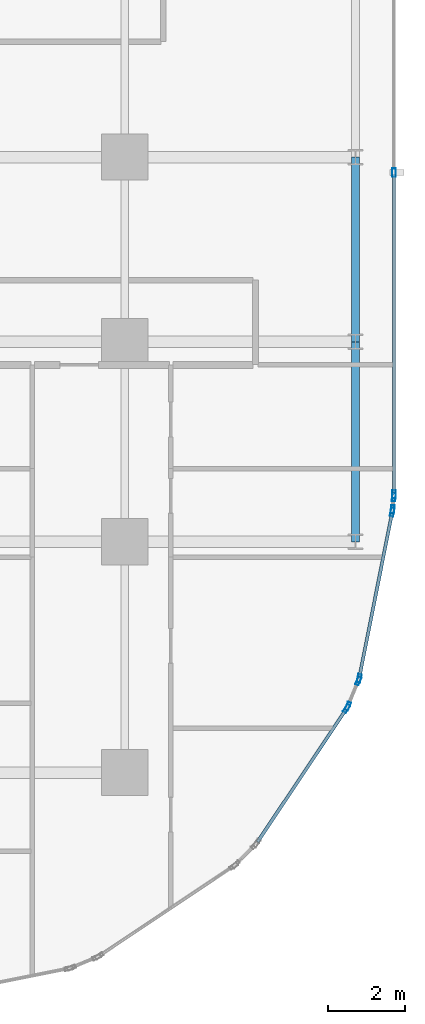
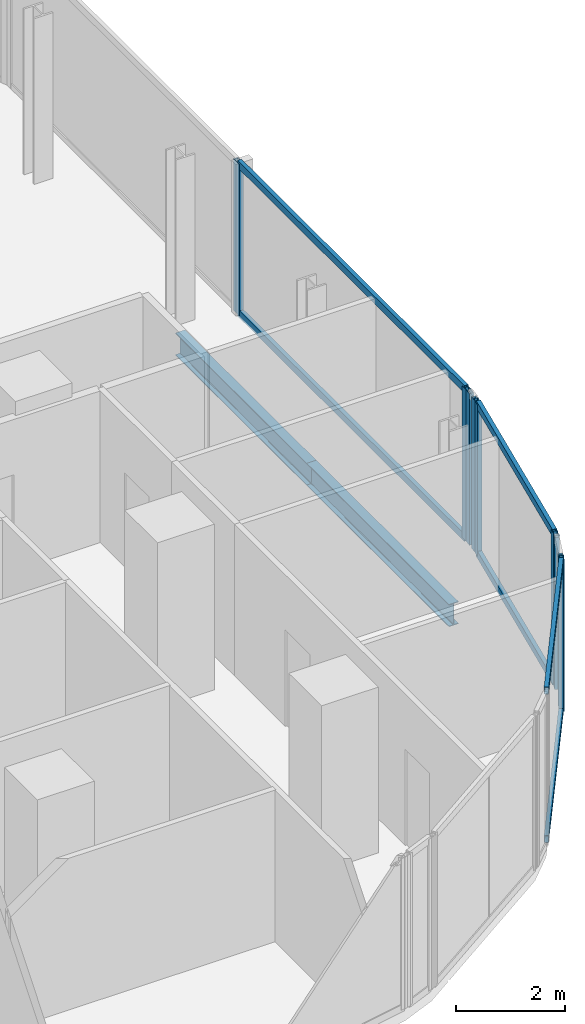
# One storey, part 18 of 34: 15 members, 2 beams, 5 elements without a shape of their own.
"""IFC4 building model written with IfcOpenShell, lengths in metres."""

from ifc_helpers import new_model, si_unit, direction, frame, origin, origin_2d, place, context, subcontext, project, spatial, hollow_rectangle, i_section, extrude, material, layer, layer_set, material_profile, profile_set, type_object, element, aggregate, save


model = new_model("IFC4")

# Units and contexts
model_context = context("Model", 3, precision=1e-05, world=origin(), true_north=direction((0.0, 1.0)))
body_context = subcontext(model_context, "Body", "Model", "MODEL_VIEW")
ifc_project = project(units=[si_unit("LENGTHUNIT", "METRE"), si_unit("AREAUNIT", "SQUARE_METRE"), si_unit("VOLUMEUNIT", "CUBIC_METRE"), si_unit("PLANEANGLEUNIT", "RADIAN"), si_unit("MASSUNIT", "GRAM", prefix="KILO")], contexts=[model_context])

# Site, building, storey
site_placement = place(None, origin())
site = spatial("IfcSite", under=ifc_project, at=site_placement, CompositionType="ELEMENT")
building_placement = place(site_placement, origin())
building = spatial("IfcBuilding", under=site, at=building_placement, Name="Keshet Zoharim Tower", CompositionType="ELEMENT")
storey_placement = place(building_placement, frame((0.0, 0.0, 70.10009765625)))
storey = spatial("IfcBuildingStorey", under=building, at=storey_placement, Name="L16", CompositionType="ELEMENT", Elevation=70.10009765625)

# Beams
ifc_material_1 = material(Name="Steel S355", Category="steel")
ifc_material_profile_1 = material_profile(ifc_material_1, i_section(OverallWidth=0.199951171875, OverallDepth=0.5, WebThickness=0.01025390625, FlangeThickness=0.01611328125, FilletRadius=0.02099609375, at=origin_2d()), Name="IPE500")
ifc_profile_set_1 = profile_set([ifc_material_profile_1], Name="Steel S355")
beam_type = type_object("IfcBeamType", Name="BM-PRI-IP500", PredefinedType="BEAM", material=ifc_profile_set_1)
beam_1_placement = place(storey_placement, frame((69.0, 12.699951171875, -0.565185546875), z_axis=(0.0, 1.0, 0.0), x_axis=(-1.0, 0.0, 0.0)))
element("IfcBeam", 1, at=beam_1_placement, inside=storey, type_object=beam_type, Name="L16 Primary Girder Y-023", PredefinedType="BEAM", context=body_context, shape_type="SweptSolid", body=[
    extrude(i_section(OverallWidth=0.199951171875, OverallDepth=0.5, WebThickness=0.01025390625, FlangeThickness=0.01611328125, FilletRadius=0.02099609375, at=origin_2d()), origin(), (0.0, 0.0, 1.0), 5.199951171875),
])
beam_2_placement = place(storey_placement, frame((69.0, 17.89990234375, -0.565185546875), z_axis=(0.0, 1.0, 0.0), x_axis=(-1.0, 0.0, 0.0)))
element("IfcBeam", 2, at=beam_2_placement, inside=storey, type_object=beam_type, Name="L16 Primary Girder Y-024", PredefinedType="BEAM", context=body_context, shape_type="SweptSolid", body=[
    extrude(i_section(OverallWidth=0.199951171875, OverallDepth=0.5, WebThickness=0.01025390625, FlangeThickness=0.01611328125, FilletRadius=0.02099609375, at=origin_2d()), origin(), (0.0, 0.0, 1.0), 4.800048828125),
])

# Curtain wall, members
ifc_material_2 = material(Name="Aluminium 6063-T6", Category="aluminium")
ifc_layer_1 = layer(ifc_material_2, 0.169921875)
ifc_layer_set_1 = layer_set([ifc_layer_1], Name="Aluminium 6063-T6")
curtain_wall_type_1 = type_object("IfcCurtainWallType", Name="CW-SYS-02", PredefinedType="NOTDEFINED", material=ifc_layer_set_1)
curtain_wall_1_placement = place(storey_placement, origin())
curtain_wall_1 = element("IfcCurtainWall", 3, at=curtain_wall_1_placement, inside=storey, type_object=curtain_wall_type_1, Name="L16 Unitised Curtain Wall 16", PredefinedType="NOTDEFINED")
ifc_material_profile_2 = material_profile(ifc_material_2, hollow_rectangle(XDim=0.090087890625, YDim=0.219970703125, WallThickness=0.0048828125, at=origin_2d()), Name="MUL-90x220")
ifc_profile_set_2 = profile_set([ifc_material_profile_2], Name="Aluminium 6063-T6")
member_type_1 = type_object("IfcMemberType", Name="CWM-M22", PredefinedType="MULLION", material=ifc_profile_set_2)
member_1_placement = place(storey_placement, frame((70.0, 22.298583984375, 0.0), z_axis=(0.0, 0.0, 1.0), x_axis=(1.0, 0.0, 0.0)))
member_1 = element("IfcMember", 4, at=member_1_placement, type_object=member_type_1, Name="CW-02 mullion 2", PredefinedType="MULLION", context=body_context, shape_type="SweptSolid", body=[
    extrude(hollow_rectangle(XDim=0.090087890625, YDim=0.219970703125, WallThickness=0.0048828125, at=origin_2d()), origin(), (0.0, 0.0, 1.0), 3.385009765625),
])
member_2_placement = place(storey_placement, frame((70.0, 13.931884765625, 0.0), z_axis=(0.0, 0.0, 1.0), x_axis=(1.0, 0.0, 0.0)))
member_2 = element("IfcMember", 5, at=member_2_placement, type_object=member_type_1, Name="CW-02 mullion 3", PredefinedType="MULLION", context=body_context, shape_type="SweptSolid", body=[
    extrude(hollow_rectangle(XDim=0.090087890625, YDim=0.219970703125, WallThickness=0.0048828125, at=origin_2d()), origin(), (0.0, 0.0, 1.0), 3.385009765625),
])

curtain_wall_2_placement = place(storey_placement, origin())
curtain_wall_2 = element("IfcCurtainWall", 6, at=curtain_wall_2_placement, inside=storey, type_object=curtain_wall_type_1, Name="L16 Unitised Curtain Wall 17", PredefinedType="NOTDEFINED")
member_3_placement = place(storey_placement, frame((69.99658203125, 13.862060546875, 0.0), z_axis=(0.0, 0.0, 1.0), x_axis=(0.995286657009, -0.096976648633, 0.0)))
member_3 = element("IfcMember", 7, at=member_3_placement, type_object=member_type_1, Name="CW-02 mullion 1", PredefinedType="MULLION", context=body_context, shape_type="SweptSolid", body=[
    extrude(hollow_rectangle(XDim=0.090087890625, YDim=0.219970703125, WallThickness=0.0048828125, at=origin_2d()), origin(), (0.0, 0.0, 1.0), 3.385009765625),
])
member_4_placement = place(storey_placement, frame((69.96533203125, 13.541748046875, 0.0), z_axis=(0.0, 0.0, 1.0), x_axis=(0.995286657009, -0.096976648633, 0.0)))
member_4 = element("IfcMember", 8, at=member_4_placement, type_object=member_type_1, Name="CW-02 mullion 2", PredefinedType="MULLION", context=body_context, shape_type="SweptSolid", body=[
    extrude(hollow_rectangle(XDim=0.090087890625, YDim=0.219970703125, WallThickness=0.0048828125, at=origin_2d()), origin(), (0.0, 0.0, 1.0), 3.385009765625),
])
aggregate(curtain_wall_2, [member_3, member_4])

curtain_wall_3_placement = place(storey_placement, origin())
curtain_wall_3 = element("IfcCurtainWall", 9, at=curtain_wall_3_placement, inside=storey, type_object=curtain_wall_type_1, Name="L16 Unitised Curtain Wall 18", PredefinedType="NOTDEFINED")
member_5_placement = place(storey_placement, frame((69.955078125, 13.47265625, 0.0), z_axis=(0.0, 0.0, 1.0), x_axis=(0.98076917357, -0.195171279072, 0.0)))
member_5 = element("IfcMember", 10, at=member_5_placement, type_object=member_type_1, Name="CW-02 mullion 1", PredefinedType="MULLION", context=body_context, shape_type="SweptSolid", body=[
    extrude(hollow_rectangle(XDim=0.090087890625, YDim=0.219970703125, WallThickness=0.0048828125, at=origin_2d()), origin(), (0.0, 0.0, 1.0), 3.385009765625),
])
member_6_placement = place(storey_placement, frame((69.0947265625, 9.1494140625, 0.0), z_axis=(0.0, 0.0, 1.0), x_axis=(0.98076917357, -0.195171279072, 0.0)))
member_6 = element("IfcMember", 11, at=member_6_placement, type_object=member_type_1, Name="CW-02 mullion 2", PredefinedType="MULLION", context=body_context, shape_type="SweptSolid", body=[
    extrude(hollow_rectangle(XDim=0.090087890625, YDim=0.219970703125, WallThickness=0.0048828125, at=origin_2d()), origin(), (0.0, 0.0, 1.0), 3.385009765625),
])

ifc_layer_2 = layer(ifc_material_2, 0.179931640625)
ifc_layer_set_2 = layer_set([ifc_layer_2], Name="Aluminium 6063-T6")
curtain_wall_type_2 = type_object("IfcCurtainWallType", Name="CW-SYS-01", PredefinedType="NOTDEFINED", material=ifc_layer_set_2)
curtain_wall_4_placement = place(storey_placement, origin())
curtain_wall_4 = element("IfcCurtainWall", 12, at=curtain_wall_4_placement, inside=storey, type_object=curtain_wall_type_2, Name="L16 Unitised Curtain Wall 19", PredefinedType="NOTDEFINED")
member_7_placement = place(storey_placement, frame((69.07470703125, 9.082763671875, 0.0), z_axis=(0.0, 0.0, 1.0), x_axis=(0.923720000557, -0.383068349739, 0.0)))
member_7 = element("IfcMember", 13, at=member_7_placement, type_object=member_type_1, Name="CW-01 mullion 1", PredefinedType="MULLION", context=body_context, shape_type="SweptSolid", body=[
    extrude(hollow_rectangle(XDim=0.090087890625, YDim=0.219970703125, WallThickness=0.0048828125, at=origin_2d()), origin(), (0.0, 0.0, 1.0), 3.385009765625),
])
member_8_placement = place(storey_placement, frame((68.802490234375, 8.42626953125, 0.0), z_axis=(0.0, 0.0, 1.0), x_axis=(0.923720000557, -0.383068349739, 0.0)))
member_8 = element("IfcMember", 14, at=member_8_placement, type_object=member_type_1, Name="CW-01 mullion 2", PredefinedType="MULLION", context=body_context, shape_type="SweptSolid", body=[
    extrude(hollow_rectangle(XDim=0.090087890625, YDim=0.219970703125, WallThickness=0.0048828125, at=origin_2d()), origin(), (0.0, 0.0, 1.0), 3.385009765625),
])
aggregate(curtain_wall_4, [member_7, member_8])

# Curtain wall, member
curtain_wall_5_placement = place(storey_placement, origin())
curtain_wall_5 = element("IfcCurtainWall", 15, at=curtain_wall_5_placement, inside=storey, type_object=curtain_wall_type_2, Name="L16 Unitised Curtain Wall 20", PredefinedType="NOTDEFINED")
member_9_placement = place(storey_placement, frame((68.76953125, 8.364990234375, 0.0), z_axis=(0.0, 0.0, 1.0), x_axis=(0.831474282335, -0.555563243758, 0.0)))
member_9 = element("IfcMember", 16, at=member_9_placement, type_object=member_type_1, Name="CW-01 mullion 1", PredefinedType="MULLION", context=body_context, shape_type="SweptSolid", body=[
    extrude(hollow_rectangle(XDim=0.090087890625, YDim=0.219970703125, WallThickness=0.0048828125, at=origin_2d()), origin(), (0.0, 0.0, 1.0), 3.385009765625),
])

# Member
ifc_material_profile_3 = material_profile(ifc_material_2, hollow_rectangle(XDim=0.0849609375, YDim=0.159912109375, WallThickness=0.00439453125, at=origin_2d()), Name="TRN-85x160")
ifc_profile_set_3 = profile_set([ifc_material_profile_3], Name="Aluminium 6063-T6")
member_type_2 = type_object("IfcMemberType", Name="CWT-T16", PredefinedType="USERDEFINED", material=ifc_profile_set_3)
member_10_placement = place(storey_placement, frame((70.0, 22.263427734375, 0.034912109375), z_axis=(0.0, -1.0, 0.0), x_axis=(1.0, 0.0, 0.0)))
member_10 = element("IfcMember", 17, at=member_10_placement, type_object=member_type_2, Name="CW-02 transom 2.1", ObjectType="TRANSOM", PredefinedType="USERDEFINED", context=body_context, shape_type="SweptSolid", body=[
    extrude(hollow_rectangle(XDim=0.0849609375, YDim=0.159912109375, WallThickness=0.00439453125, at=origin_2d()), origin(), (0.0, 0.0, 1.0), 8.29638671875),
])

member_11_placement = place(storey_placement, frame((70.0, 22.263427734375, 3.349853515625), z_axis=(0.0, -1.0, 0.0), x_axis=(1.0, 0.0, 0.0)))
member_11 = element("IfcMember", 18, at=member_11_placement, type_object=member_type_2, Name="CW-02 transom 2.2", ObjectType="TRANSOM", PredefinedType="USERDEFINED", context=body_context, shape_type="SweptSolid", body=[
    extrude(hollow_rectangle(XDim=0.0849609375, YDim=0.159912109375, WallThickness=0.00439453125, at=origin_2d()), origin(), (0.0, 0.0, 1.0), 8.29638671875),
])

aggregate(curtain_wall_1, [member_1, member_2, member_10, member_11])

member_12_placement = place(storey_placement, frame((69.9482421875, 13.438232421875, 0.034912109375), z_axis=(-0.195174459131, -0.980768540739, 0.0), x_axis=(0.980768540739, -0.195174459131, 0.0)))
member_12 = element("IfcMember", 19, at=member_12_placement, type_object=member_type_2, Name="CW-02 transom 1.1", ObjectType="TRANSOM", PredefinedType="USERDEFINED", context=body_context, shape_type="SweptSolid", body=[
    extrude(hollow_rectangle(XDim=0.0849609375, YDim=0.159912109375, WallThickness=0.00439453125, at=origin_2d()), origin(), (0.0, 0.0, 1.0), 4.338134765625),
])

member_13_placement = place(storey_placement, frame((69.9482421875, 13.438232421875, 3.349853515625), z_axis=(-0.195174459131, -0.980768540739, 0.0), x_axis=(0.980768540739, -0.195174459131, 0.0)))
member_13 = element("IfcMember", 20, at=member_13_placement, type_object=member_type_2, Name="CW-02 transom 1.2", ObjectType="TRANSOM", PredefinedType="USERDEFINED", context=body_context, shape_type="SweptSolid", body=[
    extrude(hollow_rectangle(XDim=0.0849609375, YDim=0.159912109375, WallThickness=0.00439453125, at=origin_2d()), origin(), (0.0, 0.0, 1.0), 4.338134765625),
])

aggregate(curtain_wall_3, [member_5, member_6, member_12, member_13])

member_14_placement = place(storey_placement, frame((68.75, 8.335693359375, 0.034912109375), z_axis=(-0.55555796544, -0.831477809106, 0.0), x_axis=(0.831477809106, -0.55555796544, 0.0)))
member_14 = element("IfcMember", 21, at=member_14_placement, type_object=member_type_2, Name="CW-01 transom 1.1", ObjectType="TRANSOM", PredefinedType="USERDEFINED", context=body_context, shape_type="SweptSolid", body=[
    extrude(hollow_rectangle(XDim=0.0849609375, YDim=0.159912109375, WallThickness=0.00439453125, at=origin_2d()), origin(), (0.0, 0.0, 1.0), 4.136474609375),
])

member_15_placement = place(storey_placement, frame((68.75, 8.335693359375, 3.349853515625), z_axis=(-0.55555796544, -0.831477809106, 0.0), x_axis=(0.831477809106, -0.55555796544, 0.0)))
member_15 = element("IfcMember", 22, at=member_15_placement, type_object=member_type_2, Name="CW-01 transom 1.2", ObjectType="TRANSOM", PredefinedType="USERDEFINED", context=body_context, shape_type="SweptSolid", body=[
    extrude(hollow_rectangle(XDim=0.0849609375, YDim=0.159912109375, WallThickness=0.00439453125, at=origin_2d()), origin(), (0.0, 0.0, 1.0), 4.136474609375),
])

aggregate(curtain_wall_5, [member_9, member_14, member_15])

save(model, "model.ifc")
